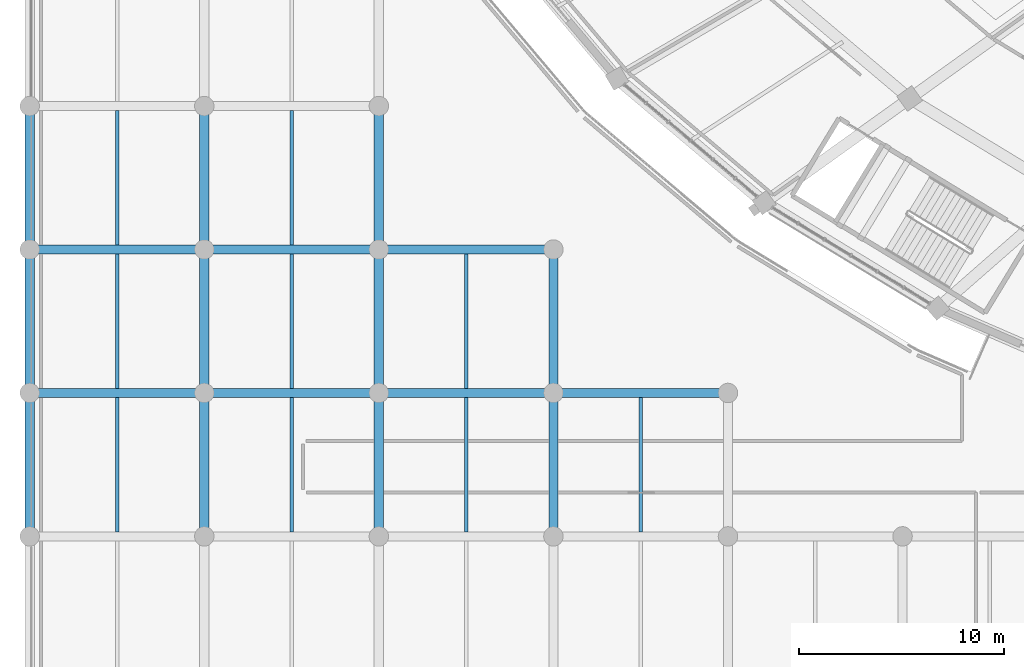
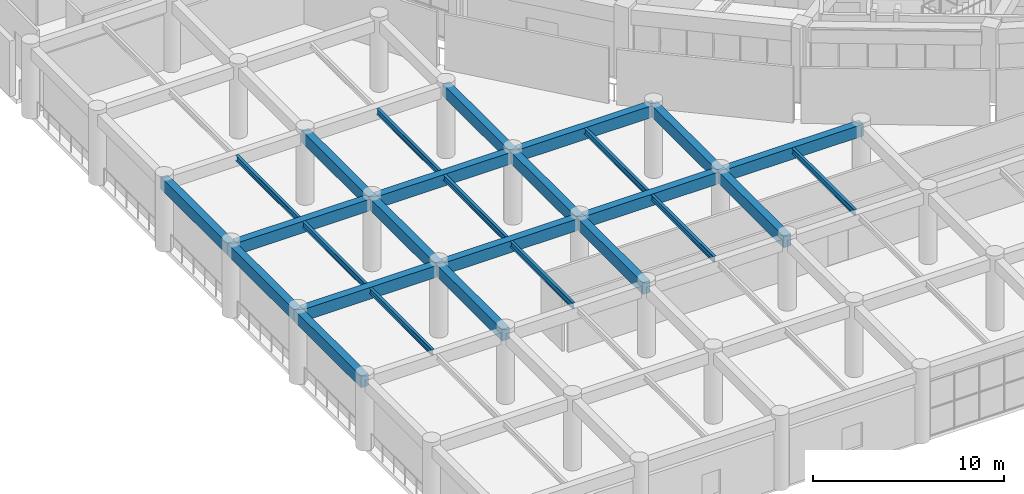
# One storey, part 12 of 152: 27 beams.
"""IFC4 building model written with IfcOpenShell, lengths in metres."""

from ifc_helpers import new_model, si_unit, direction, frame, origin, origin_2d, place, context, subcontext, project, spatial, rectangle, i_section, extrude, material, material_profile, profile_set, type_object, element, save


model = new_model("IFC4")

# Units and contexts
model_context = context("Model", 3, precision=1e-05, world=origin(), true_north=direction((0.0, 1.0)))
body_context = subcontext(model_context, "Body", "Model", "MODEL_VIEW")
ifc_project = project(units=[si_unit("LENGTHUNIT", "METRE"), si_unit("AREAUNIT", "SQUARE_METRE"), si_unit("VOLUMEUNIT", "CUBIC_METRE"), si_unit("PLANEANGLEUNIT", "RADIAN"), si_unit("MASSUNIT", "GRAM", prefix="KILO")], contexts=[model_context])

# Site, building, storey
site_placement = place(None, origin())
site = spatial("IfcSite", under=ifc_project, at=site_placement, CompositionType="ELEMENT")
building_placement = place(site_placement, origin())
building = spatial("IfcBuilding", under=site, at=building_placement, Name="Mphavela Belvedere Stadium", CompositionType="ELEMENT")
storey_placement = place(building_placement, frame((0.0, 0.0, 5.39990234375)))
storey = spatial("IfcBuildingStorey", under=building, at=storey_placement, Name="L01", CompositionType="ELEMENT", Elevation=5.39990234375)

# Beams
ifc_material_1 = material(Name="Steel S355", Category="steel")
ifc_material_profile_1 = material_profile(ifc_material_1, i_section(OverallWidth=0.169921875, OverallDepth=0.360107421875, WebThickness=0.008056640625, FlangeThickness=0.0126953125, at=origin_2d()), Name="IPE 360")
ifc_profile_set_1 = profile_set([ifc_material_profile_1], Name="Steel S355")
beam_type_1 = type_object("IfcBeamType", Name="BM-JOIST-IPE360", PredefinedType="JOIST", material=ifc_profile_set_1)
for number, where, z_axis, x_axis, name in (
    (1, (4.259521484375, 14.22509765625, 4.360107421875), (0.0, 1.0, 0.0), (-1.0, 0.0, 0.0), "South Axial Triumphal Peristyle Portico secondary joist L01 1-3"),
    (2, (4.259521484375, 21.22509765625, 4.360107421875), (0.0, 1.0, 0.0), (-1.0, 0.0, 0.0), "South Axial Triumphal Peristyle Portico secondary joist L01 1-4"),
    (3, (4.259521484375, 28.22509765625, 4.360107421875), (0.0, 1.0, 0.0), (-1.0, 0.0, 0.0), "South Axial Triumphal Peristyle Portico secondary joist L01 1-5"),
    (4, (12.778076171875, 14.22509765625, 4.360107421875), (0.0, 1.0, 0.0), (-1.0, 0.0, 0.0), "South Axial Triumphal Peristyle Portico secondary joist L01 2-3"),
    (5, (12.778076171875, 21.22509765625, 4.360107421875), (0.0, 1.0, 0.0), (-1.0, 0.0, 0.0), "South Axial Triumphal Peristyle Portico secondary joist L01 2-4"),
    (6, (12.778076171875, 28.22509765625, 4.360107421875), (0.0, 1.0, 0.0), (-1.0, 0.0, 0.0), "South Axial Triumphal Peristyle Portico secondary joist L01 2-5"),
    (7, (21.29638671875, 14.22509765625, 4.360107421875), (0.0, 1.0, 0.0), (-1.0, 0.0, 0.0), "South Axial Triumphal Peristyle Portico secondary joist L01 3-3"),
    (8, (21.29638671875, 21.22509765625, 4.360107421875), (0.0, 1.0, 0.0), (-1.0, 0.0, 0.0), "South Axial Triumphal Peristyle Portico secondary joist L01 3-4"),
    (9, (29.81494140625, 14.22509765625, 4.360107421875), (0.0, 1.0, 0.0), (-1.0, 0.0, 0.0), "South Axial Triumphal Peristyle Portico secondary joist L01 4-3"),
):
    element("IfcBeam", number, at=place(storey_placement, frame(where, z_axis=z_axis, x_axis=x_axis)), inside=storey, type_object=beam_type_1, Name=name, PredefinedType="JOIST", context=body_context, shape_type="SweptSolid", body=[
        extrude(i_section(OverallWidth=0.169921875, OverallDepth=0.360107421875, WebThickness=0.008056640625, FlangeThickness=0.0126953125, at=origin_2d()), origin(), (0.0, 0.0, 1.0), 6.5498046875),
    ])
ifc_material_2 = material(Name="Concrete C40/50", Category="concrete")
ifc_material_profile_2 = material_profile(ifc_material_2, rectangle(XDim=0.449951171875, YDim=0.75, at=origin_2d()), Name="RC 450x750")
ifc_profile_set_2 = profile_set([ifc_material_profile_2], Name="Concrete C40/50")
beam_type_2 = type_object("IfcBeamType", Name="BM-RC450x750", PredefinedType="BEAM", material=ifc_profile_set_2)
beam_1_placement = place(storey_placement, frame((0.0, 14.0, 4.1650390625), z_axis=(0.0, 1.0, 0.0), x_axis=(-1.0, 0.0, 0.0)))
element("IfcBeam", 10, at=beam_1_placement, inside=storey, type_object=beam_type_2, Name="South Axial Triumphal Peristyle Portico entablature beam Y L01 1-3", PredefinedType="BEAM", context=body_context, shape_type="SweptSolid", body=[
    extrude(rectangle(XDim=0.449951171875, YDim=0.75, at=origin_2d()), origin(), (0.0, 0.0, 1.0), 7.0),
])
beam_2_placement = place(storey_placement, frame((0.0, 21.0, 4.1650390625), z_axis=(1.0, 0.0, 0.0), x_axis=(0.0, 1.0, 0.0)))
element("IfcBeam", 11, at=beam_2_placement, inside=storey, type_object=beam_type_2, Name="South Axial Triumphal Peristyle Portico entablature beam X L01 1-4", PredefinedType="BEAM", context=body_context, shape_type="SweptSolid", body=[
    extrude(rectangle(XDim=0.449951171875, YDim=0.75, at=origin_2d()), origin(), (0.0, 0.0, 1.0), 8.51904296875),
])
beam_3_placement = place(storey_placement, frame((0.0, 21.0, 4.1650390625), z_axis=(0.0, 1.0, 0.0), x_axis=(-1.0, 0.0, 0.0)))
element("IfcBeam", 12, at=beam_3_placement, inside=storey, type_object=beam_type_2, Name="South Axial Triumphal Peristyle Portico entablature beam Y L01 1-4", PredefinedType="BEAM", context=body_context, shape_type="SweptSolid", body=[
    extrude(rectangle(XDim=0.449951171875, YDim=0.75, at=origin_2d()), origin(), (0.0, 0.0, 1.0), 7.0),
])
beam_4_placement = place(storey_placement, frame((0.0, 28.0, 4.1650390625), z_axis=(1.0, 0.0, 0.0), x_axis=(0.0, 1.0, 0.0)))
element("IfcBeam", 13, at=beam_4_placement, inside=storey, type_object=beam_type_2, Name="South Axial Triumphal Peristyle Portico entablature beam X L01 1-5", PredefinedType="BEAM", context=body_context, shape_type="SweptSolid", body=[
    extrude(rectangle(XDim=0.449951171875, YDim=0.75, at=origin_2d()), origin(), (0.0, 0.0, 1.0), 8.51904296875),
])
for number, where, z_axis, x_axis, name in (
    (14, (0.0, 28.0, 4.1650390625), (0.0, 1.0, 0.0), (-1.0, 0.0, 0.0), "South Axial Triumphal Peristyle Portico entablature beam Y L01 1-5"),
    (15, (8.51904296875, 14.0, 4.1650390625), (0.0, 1.0, 0.0), (-1.0, 0.0, 0.0), "South Axial Triumphal Peristyle Portico entablature beam Y L01 2-3"),
):
    element("IfcBeam", number, at=place(storey_placement, frame(where, z_axis=z_axis, x_axis=x_axis)), inside=storey, type_object=beam_type_2, Name=name, PredefinedType="BEAM", context=body_context, shape_type="SweptSolid", body=[
        extrude(rectangle(XDim=0.449951171875, YDim=0.75, at=origin_2d()), origin(), (0.0, 0.0, 1.0), 7.0),
    ])
beam_5_placement = place(storey_placement, frame((8.51904296875, 21.0, 4.1650390625), z_axis=(1.0, 0.0, 0.0), x_axis=(0.0, 1.0, 0.0)))
element("IfcBeam", 16, at=beam_5_placement, inside=storey, type_object=beam_type_2, Name="South Axial Triumphal Peristyle Portico entablature beam X L01 2-4", PredefinedType="BEAM", context=body_context, shape_type="SweptSolid", body=[
    extrude(rectangle(XDim=0.449951171875, YDim=0.75, at=origin_2d()), origin(), (0.0, 0.0, 1.0), 8.51806640625),
])
beam_6_placement = place(storey_placement, frame((8.51904296875, 21.0, 4.1650390625), z_axis=(0.0, 1.0, 0.0), x_axis=(-1.0, 0.0, 0.0)))
element("IfcBeam", 17, at=beam_6_placement, inside=storey, type_object=beam_type_2, Name="South Axial Triumphal Peristyle Portico entablature beam Y L01 2-4", PredefinedType="BEAM", context=body_context, shape_type="SweptSolid", body=[
    extrude(rectangle(XDim=0.449951171875, YDim=0.75, at=origin_2d()), origin(), (0.0, 0.0, 1.0), 7.0),
])
beam_7_placement = place(storey_placement, frame((8.51904296875, 28.0, 4.1650390625), z_axis=(1.0, 0.0, 0.0), x_axis=(0.0, 1.0, 0.0)))
element("IfcBeam", 18, at=beam_7_placement, inside=storey, type_object=beam_type_2, Name="South Axial Triumphal Peristyle Portico entablature beam X L01 2-5", PredefinedType="BEAM", context=body_context, shape_type="SweptSolid", body=[
    extrude(rectangle(XDim=0.449951171875, YDim=0.75, at=origin_2d()), origin(), (0.0, 0.0, 1.0), 8.51806640625),
])
for number, where, z_axis, x_axis, name in (
    (19, (8.51904296875, 28.0, 4.1650390625), (0.0, 1.0, 0.0), (-1.0, 0.0, 0.0), "South Axial Triumphal Peristyle Portico entablature beam Y L01 2-5"),
    (20, (17.037109375, 14.0, 4.1650390625), (0.0, 1.0, 0.0), (-1.0, 0.0, 0.0), "South Axial Triumphal Peristyle Portico entablature beam Y L01 3-3"),
):
    element("IfcBeam", number, at=place(storey_placement, frame(where, z_axis=z_axis, x_axis=x_axis)), inside=storey, type_object=beam_type_2, Name=name, PredefinedType="BEAM", context=body_context, shape_type="SweptSolid", body=[
        extrude(rectangle(XDim=0.449951171875, YDim=0.75, at=origin_2d()), origin(), (0.0, 0.0, 1.0), 7.0),
    ])
beam_8_placement = place(storey_placement, frame((17.037109375, 21.0, 4.1650390625), z_axis=(1.0, 0.0, 0.0), x_axis=(0.0, 1.0, 0.0)))
element("IfcBeam", 21, at=beam_8_placement, inside=storey, type_object=beam_type_2, Name="South Axial Triumphal Peristyle Portico entablature beam X L01 3-4", PredefinedType="BEAM", context=body_context, shape_type="SweptSolid", body=[
    extrude(rectangle(XDim=0.449951171875, YDim=0.75, at=origin_2d()), origin(), (0.0, 0.0, 1.0), 8.518798828125),
])
beam_9_placement = place(storey_placement, frame((17.037109375, 21.0, 4.1650390625), z_axis=(0.0, 1.0, 0.0), x_axis=(-1.0, 0.0, 0.0)))
element("IfcBeam", 22, at=beam_9_placement, inside=storey, type_object=beam_type_2, Name="South Axial Triumphal Peristyle Portico entablature beam Y L01 3-4", PredefinedType="BEAM", context=body_context, shape_type="SweptSolid", body=[
    extrude(rectangle(XDim=0.449951171875, YDim=0.75, at=origin_2d()), origin(), (0.0, 0.0, 1.0), 7.0),
])
beam_10_placement = place(storey_placement, frame((17.037109375, 28.0, 4.1650390625), z_axis=(1.0, 0.0, 0.0), x_axis=(0.0, 1.0, 0.0)))
element("IfcBeam", 23, at=beam_10_placement, inside=storey, type_object=beam_type_2, Name="South Axial Triumphal Peristyle Portico entablature beam X L01 3-5", PredefinedType="BEAM", context=body_context, shape_type="SweptSolid", body=[
    extrude(rectangle(XDim=0.449951171875, YDim=0.75, at=origin_2d()), origin(), (0.0, 0.0, 1.0), 8.518798828125),
])
for number, where, z_axis, x_axis, name in (
    (24, (17.037109375, 28.0, 4.1650390625), (0.0, 1.0, 0.0), (-1.0, 0.0, 0.0), "South Axial Triumphal Peristyle Portico entablature beam Y L01 3-5"),
    (25, (25.555908203125, 14.0, 4.1650390625), (0.0, 1.0, 0.0), (-1.0, 0.0, 0.0), "South Axial Triumphal Peristyle Portico entablature beam Y L01 4-3"),
):
    element("IfcBeam", number, at=place(storey_placement, frame(where, z_axis=z_axis, x_axis=x_axis)), inside=storey, type_object=beam_type_2, Name=name, PredefinedType="BEAM", context=body_context, shape_type="SweptSolid", body=[
        extrude(rectangle(XDim=0.449951171875, YDim=0.75, at=origin_2d()), origin(), (0.0, 0.0, 1.0), 7.0),
    ])
beam_11_placement = place(storey_placement, frame((25.555908203125, 21.0, 4.1650390625), z_axis=(1.0, 0.0, 0.0), x_axis=(0.0, 1.0, 0.0)))
element("IfcBeam", 26, at=beam_11_placement, inside=storey, type_object=beam_type_2, Name="South Axial Triumphal Peristyle Portico entablature beam X L01 4-4", PredefinedType="BEAM", context=body_context, shape_type="SweptSolid", body=[
    extrude(rectangle(XDim=0.449951171875, YDim=0.75, at=origin_2d()), origin(), (0.0, 0.0, 1.0), 8.51806640625),
])
beam_12_placement = place(storey_placement, frame((25.555908203125, 21.0, 4.1650390625), z_axis=(0.0, 1.0, 0.0), x_axis=(-1.0, 0.0, 0.0)))
element("IfcBeam", 27, at=beam_12_placement, inside=storey, type_object=beam_type_2, Name="South Axial Triumphal Peristyle Portico entablature beam Y L01 4-4", PredefinedType="BEAM", context=body_context, shape_type="SweptSolid", body=[
    extrude(rectangle(XDim=0.449951171875, YDim=0.75, at=origin_2d()), origin(), (0.0, 0.0, 1.0), 7.0),
])

save(model, "model.ifc")
